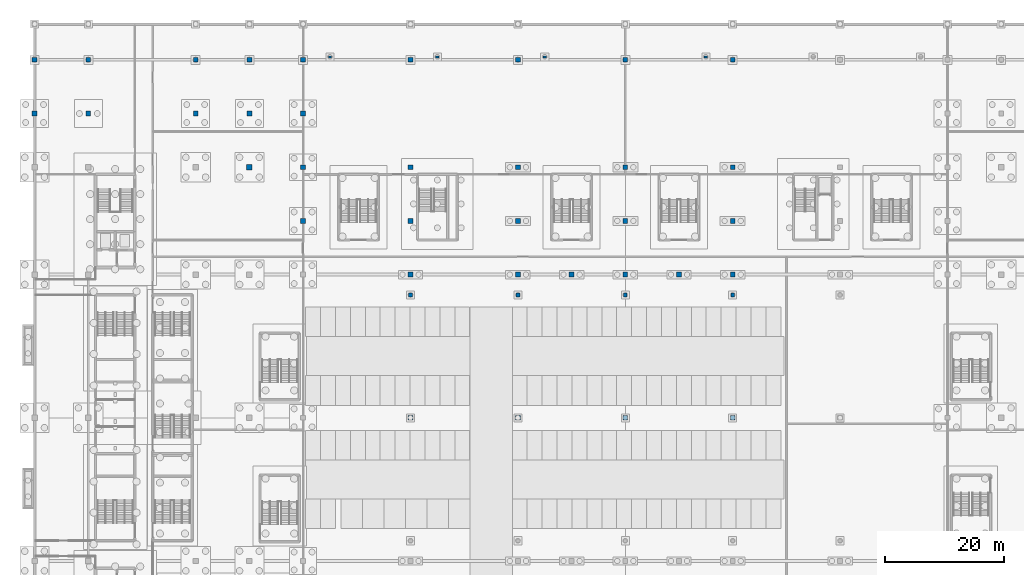
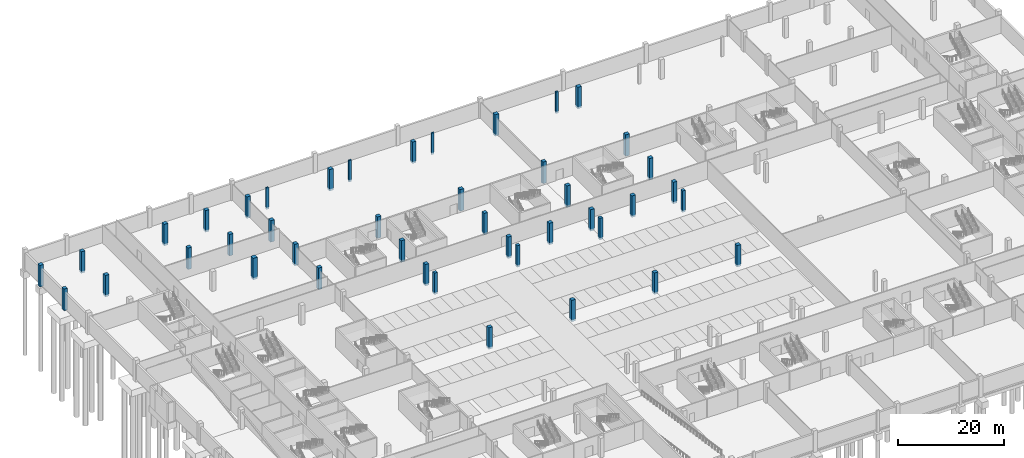
# One storey, part 10 of 46: 43 columns.
"""IFC4 building model written with IfcOpenShell, lengths in metres."""

from ifc_helpers import new_model, si_unit, direction, frame, origin, origin_2d, place, context, subcontext, project, spatial, rectangle, extrude, material, material_profile, profile_set, type_object, element, save


model = new_model("IFC4")

# Units and contexts
model_context = context("Model", 3, precision=1e-05, world=origin(), true_north=direction((0.0, 1.0)))
body_context = subcontext(model_context, "Body", "Model", "MODEL_VIEW")
ifc_project = project(units=[si_unit("LENGTHUNIT", "METRE"), si_unit("AREAUNIT", "SQUARE_METRE"), si_unit("VOLUMEUNIT", "CUBIC_METRE"), si_unit("PLANEANGLEUNIT", "RADIAN"), si_unit("MASSUNIT", "GRAM", prefix="KILO")], contexts=[model_context])

# Site, building, storey
site_placement = place(None, origin())
site = spatial("IfcSite", under=ifc_project, at=site_placement, CompositionType="ELEMENT")
building_placement = place(site_placement, origin())
building = spatial("IfcBuilding", under=site, at=building_placement, Name="Kisiwana Market Hall", CompositionType="ELEMENT")
storey_placement = place(building_placement, frame((0.0, 0.0, -4.5)))
storey = spatial("IfcBuildingStorey", under=building, at=storey_placement, Name="B1", CompositionType="ELEMENT", Elevation=-4.5)

# Columns
ifc_material_1 = material(Name="Concrete C40/50", Category="concrete")
ifc_material_profile_1 = material_profile(ifc_material_1, rectangle(XDim=0.800048828125, YDim=0.800048828125, at=origin_2d()), Name="RC 800x800")
ifc_profile_set_1 = profile_set([ifc_material_profile_1], Name="Concrete C40/50")
column_type_1 = type_object("IfcColumnType", Name="COL-RC-B1-800", PredefinedType="COLUMN", material=ifc_profile_set_1)
for number, where, z_axis, x_axis, name in (
    (1, (0.0, 111.0, -0.449951171875), (0.0, 0.0, 1.0), (1.0, 0.0, 0.0), "Column P/1 (B1) C-0008"),
    (2, (0.0, 120.0, -0.449951171875), (0.0, 0.0, 1.0), (1.0, 0.0, 0.0), "Column Q/1 (B1) C-0009"),
    (3, (9.0, 111.0, -0.449951171875), (0.0, 0.0, 1.0), (1.0, 0.0, 0.0), "Column P/2 (B1) C-0017"),
    (4, (9.0, 120.0, -0.449951171875), (0.0, 0.0, 1.0), (1.0, 0.0, 0.0), "Column Q/2 (B1) C-0018"),
    (5, (27.0, 111.0, -0.449951171875), (0.0, 0.0, 1.0), (1.0, 0.0, 0.0), "Column P/4 (B1) C-0027"),
    (6, (27.0, 120.0, -0.449951171875), (0.0, 0.0, 1.0), (1.0, 0.0, 0.0), "Column Q/4 (B1) C-0028"),
    (7, (36.0, 111.0, -0.449951171875), (0.0, 0.0, 1.0), (1.0, 0.0, 0.0), "Column P/5 (B1) C-0036"),
    (8, (36.0, 120.0, -0.449951171875), (0.0, 0.0, 1.0), (1.0, 0.0, 0.0), "Column Q/5 (B1) C-0037"),
    (9, (45.0, 93.0, -0.449951171875), (0.0, 0.0, 1.0), (1.0, 0.0, 0.0), "Column M/6 (B1) C-0046"),
    (10, (45.0, 102.0, -0.449951171875), (0.0, 0.0, 1.0), (1.0, 0.0, 0.0), "Column N/6 (B1) C-0047"),
    (11, (45.0, 111.0, -0.449951171875), (0.0, 0.0, 1.0), (1.0, 0.0, 0.0), "Column P/6 (B1) C-0048"),
    (12, (45.0, 120.0, -0.449951171875), (0.0, 0.0, 1.0), (1.0, 0.0, 0.0), "Column Q/6 (B1) C-0049"),
    (13, (63.0, 60.0, -0.449951171875), (0.0, 0.0, 1.0), (1.0, 0.0, 0.0), "Column H/8 (B1) C-0055"),
    (14, (63.0, 84.0, -0.449951171875), (0.0, 0.0, 1.0), (1.0, 0.0, 0.0), "Column L/8 (B1) C-0056"),
    (15, (63.0, 93.0, -0.449951171875), (0.0, 0.0, 1.0), (1.0, 0.0, 0.0), "Column M/8 (B1) C-0057"),
    (16, (63.0, 102.0, -0.449951171875), (0.0, 0.0, 1.0), (1.0, 0.0, 0.0), "Column N/8 (B1) C-0058"),
    (17, (63.0, 120.0, -0.449951171875), (0.0, 0.0, 1.0), (1.0, 0.0, 0.0), "Column Q/8 (B1) C-0059"),
    (18, (81.0, 60.0, -0.449951171875), (0.0, 0.0, 1.0), (1.0, 0.0, 0.0), "Column H/10 (B1) C-0065"),
    (19, (81.0, 84.0, -0.449951171875), (0.0, 0.0, 1.0), (1.0, 0.0, 0.0), "Column L/10 (B1) C-0066"),
    (20, (81.0, 93.0, -0.449951171875), (0.0, 0.0, 1.0), (1.0, 0.0, 0.0), "Column M/10 (B1) C-0067"),
    (21, (81.0, 102.0, -0.449951171875), (0.0, 0.0, 1.0), (1.0, 0.0, 0.0), "Column N/10 (B1) C-0068"),
    (22, (81.0, 120.0, -0.449951171875), (0.0, 0.0, 1.0), (1.0, 0.0, 0.0), "Column Q/10 (B1) C-0069"),
    (23, (90.0, 84.0, -0.449951171875), (0.0, 0.0, 1.0), (1.0, 0.0, 0.0), "Column L/11 (B1) C-0072"),
    (24, (99.0, 60.0, -0.449951171875), (0.0, 0.0, 1.0), (1.0, 0.0, 0.0), "Column H/12 (B1) C-0077"),
    (25, (99.0, 84.0, -0.449951171875), (0.0, 0.0, 1.0), (1.0, 0.0, 0.0), "Column L/12 (B1) C-0078"),
    (26, (99.0, 93.0, -0.449951171875), (0.0, 0.0, 1.0), (1.0, 0.0, 0.0), "Column M/12 (B1) C-0079"),
    (27, (99.0, 102.0, -0.449951171875), (0.0, 0.0, 1.0), (1.0, 0.0, 0.0), "Column N/12 (B1) C-0080"),
    (28, (99.0, 120.0, -0.449951171875), (0.0, 0.0, 1.0), (1.0, 0.0, 0.0), "Column Q/12 (B1) C-0081"),
    (29, (108.0, 84.0, -0.449951171875), (0.0, 0.0, 1.0), (1.0, 0.0, 0.0), "Column L/13 (B1) C-0084"),
    (30, (117.0, 60.0, -0.449951171875), (0.0, 0.0, 1.0), (1.0, 0.0, 0.0), "Column H/14 (B1) C-0089"),
    (31, (117.0, 84.0, -0.449951171875), (0.0, 0.0, 1.0), (1.0, 0.0, 0.0), "Column L/14 (B1) C-0090"),
    (32, (117.0, 93.0, -0.449951171875), (0.0, 0.0, 1.0), (1.0, 0.0, 0.0), "Column M/14 (B1) C-0091"),
    (33, (117.0, 102.0, -0.449951171875), (0.0, 0.0, 1.0), (1.0, 0.0, 0.0), "Column N/14 (B1) C-0092"),
    (34, (117.0, 120.0, -0.449951171875), (0.0, 0.0, 1.0), (1.0, 0.0, 0.0), "Column Q/14 (B1) C-0093"),
):
    element("IfcColumn", number, at=place(storey_placement, frame(where, z_axis=z_axis, x_axis=x_axis)), inside=storey, type_object=column_type_1, Name=name, PredefinedType="COLUMN", context=body_context, shape_type="SweptSolid", body=[
        extrude(rectangle(XDim=0.800048828125, YDim=0.800048828125, at=origin_2d()), origin(), (0.0, 0.0, 1.0), 4.949951171875),
    ])
ifc_material_2 = material(Name="Concrete C40/50", Category="concrete")
ifc_material_profile_2 = material_profile(ifc_material_2, rectangle(XDim=0.89990234375, YDim=0.89990234375, at=origin_2d()), Name="RC 900x900")
ifc_profile_set_2 = profile_set([ifc_material_profile_2], Name="Concrete C40/50")
column_type_2 = type_object("IfcColumnType", Name="COL-RC-B1-900", PredefinedType="COLUMN", material=ifc_profile_set_2)
column_placement = place(storey_placement, frame((36.0, 102.0, -0.449951171875), z_axis=(0.0, 0.0, 1.0), x_axis=(1.0, 0.0, 0.0)))
element("IfcColumn", 35, at=column_placement, inside=storey, type_object=column_type_2, Name="Column N/5 (B1) C-0035", PredefinedType="COLUMN", context=body_context, shape_type="SweptSolid", body=[
    extrude(rectangle(XDim=0.89990234375, YDim=0.89990234375, at=origin_2d()), origin(), (0.0, 0.0, 1.0), 4.949951171875),
])
ifc_material_3 = material(Name="Concrete C40/50", Category="concrete")
ifc_material_profile_3 = material_profile(ifc_material_3, rectangle(XDim=0.64990234375, YDim=0.64990234375, at=origin_2d()), Name="RC 650x650")
ifc_profile_set_3 = profile_set([ifc_material_profile_3], Name="Concrete C40/50")
column_type_3 = type_object("IfcColumnType", Name="COL-RC-POD-650", PredefinedType="COLUMN", material=ifc_profile_set_3)
for number, where, z_axis, x_axis, name in (
    (36, (63.0, 80.60009765625, -0.449951171875), (0.0, 0.0, 1.0), (1.0, 0.0, 0.0), "Column L/8 (B1) C-0156"),
    (37, (81.0, 80.60009765625, -0.449951171875), (0.0, 0.0, 1.0), (1.0, 0.0, 0.0), "Column L/10 (B1) C-0158"),
    (38, (99.0, 80.60009765625, -0.449951171875), (0.0, 0.0, 1.0), (1.0, 0.0, 0.0), "Column L/12 (B1) C-0160"),
    (39, (117.0, 80.60009765625, -0.449951171875), (0.0, 0.0, 1.0), (1.0, 0.0, 0.0), "Column L/14 (B1) C-0162"),
):
    element("IfcColumn", number, at=place(storey_placement, frame(where, z_axis=z_axis, x_axis=x_axis)), inside=storey, type_object=column_type_3, Name=name, PredefinedType="COLUMN", context=body_context, shape_type="SweptSolid", body=[
        extrude(rectangle(XDim=0.64990234375, YDim=0.64990234375, at=origin_2d()), origin(), (0.0, 0.0, 1.0), 4.949951171875),
    ])
ifc_material_4 = material(Name="Concrete C40/50", Category="concrete")
ifc_material_profile_4 = material_profile(ifc_material_4, rectangle(XDim=0.550048828125, YDim=0.35009765625, at=origin_2d()), Name="PIL 550x350")
ifc_profile_set_4 = profile_set([ifc_material_profile_4], Name="Concrete C40/50")
column_type_4 = type_object("IfcColumnType", Name="PIL-CONC-550", PredefinedType="PILASTER", material=ifc_profile_set_4)
for number, where, z_axis, x_axis, name in (
    (40, (49.5, 120.5, -0.449951171875), (0.0, 0.0, 1.0), (1.0, 0.0, 0.0), "Facade pilaster Q/6 (B1) C-0175"),
    (41, (67.5, 120.5, -0.449951171875), (0.0, 0.0, 1.0), (1.0, 0.0, 0.0), "Facade pilaster Q/8 (B1) C-0176"),
    (42, (85.5, 120.5, -0.449951171875), (0.0, 0.0, 1.0), (1.0, 0.0, 0.0), "Facade pilaster Q/10 (B1) C-0177"),
    (43, (112.5, 120.5, -0.449951171875), (0.0, 0.0, 1.0), (1.0, 0.0, 0.0), "Facade pilaster Q/13 (B1) C-0178"),
):
    element("IfcColumn", number, at=place(storey_placement, frame(where, z_axis=z_axis, x_axis=x_axis)), inside=storey, type_object=column_type_4, Name=name, PredefinedType="PILASTER", context=body_context, shape_type="SweptSolid", body=[
        extrude(rectangle(XDim=0.550048828125, YDim=0.35009765625, at=origin_2d()), origin(), (0.0, 0.0, 1.0), 4.949951171875),
    ])

save(model, "model.ifc")
